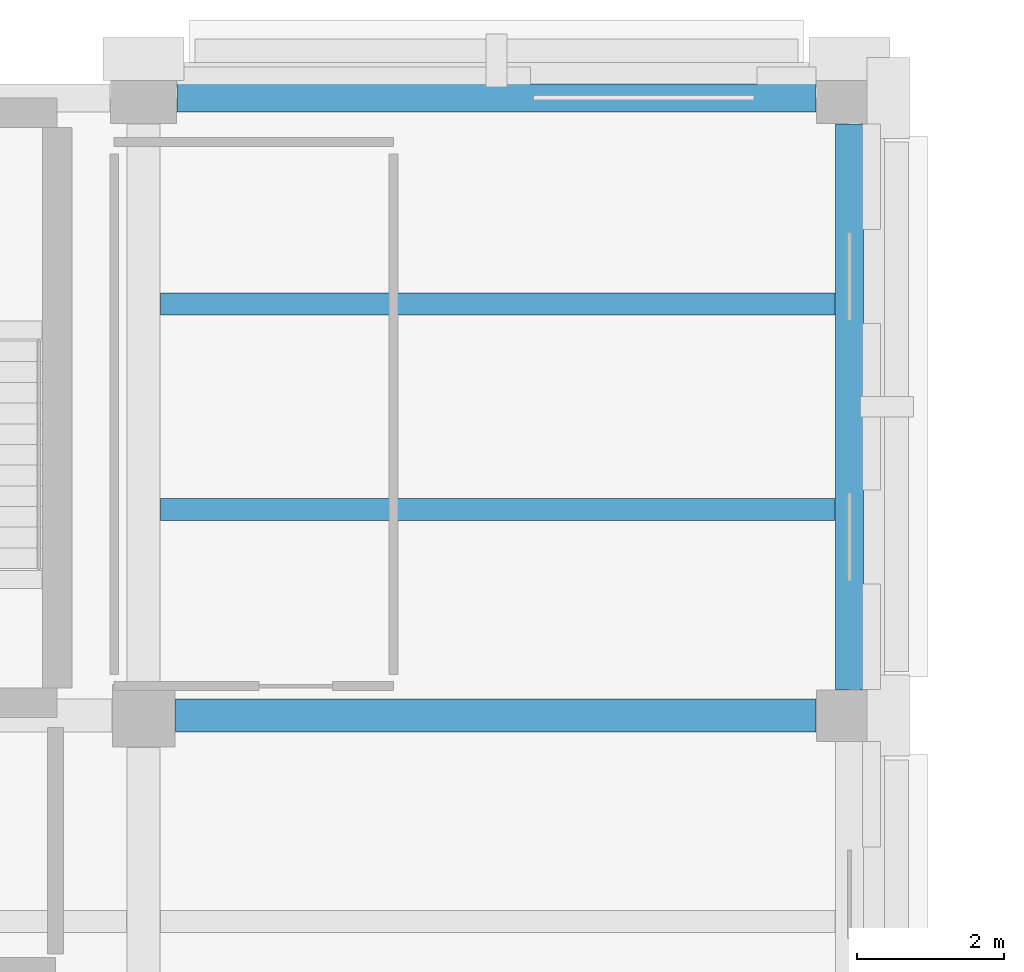
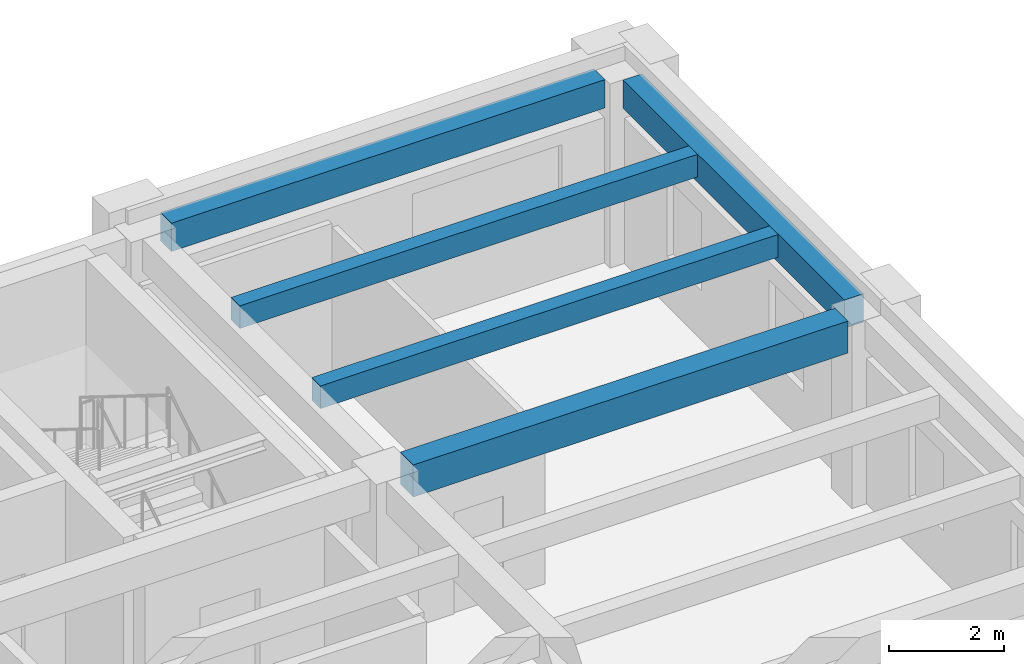
# One storey, part 28 of 58: 5 beams.
"""IFC4 building model written with IfcOpenShell, lengths in metres."""

from ifc_helpers import new_model, si_unit, direction, frame, origin, origin_2d, place, context, subcontext, project, spatial, rectangle, extrude, material, material_profile, profile_set, type_object, element, save


model = new_model("IFC4")

# Units and contexts
model_context = context("Model", 3, precision=1e-05, world=origin(), true_north=direction((0.0, 1.0)))
body_context = subcontext(model_context, "Body", "Model", "MODEL_VIEW")
ifc_project = project(units=[si_unit("LENGTHUNIT", "METRE"), si_unit("AREAUNIT", "SQUARE_METRE"), si_unit("VOLUMEUNIT", "CUBIC_METRE"), si_unit("PLANEANGLEUNIT", "RADIAN"), si_unit("MASSUNIT", "GRAM", prefix="KILO")], contexts=[model_context])

# Site, building, storey
site_placement = place(None, origin())
site = spatial("IfcSite", under=ifc_project, at=site_placement, CompositionType="ELEMENT")
building_placement = place(site_placement, origin())
building = spatial("IfcBuilding", under=site, at=building_placement, Name="Bempovik Park Faculty of Sciences", CompositionType="ELEMENT")
storey_placement = place(building_placement, frame((0.0, 0.0, 18.300048828125)))
storey = spatial("IfcBuildingStorey", under=building, at=storey_placement, Name="L04", CompositionType="ELEMENT", Elevation=18.300048828125)

# Beams
ifc_material = material(Name="Concrete C35/45", Category="concrete")
ifc_material_profile_1 = material_profile(ifc_material, rectangle(XDim=0.3798828125, YDim=0.60009765625, at=origin_2d()), Name="RC 380x600")
ifc_profile_set_1 = profile_set([ifc_material_profile_1], Name="Concrete C35/45")
beam_type_1 = type_object("IfcBeamType", Name="B-032 RC 380x600", PredefinedType="SPANDREL", material=ifc_profile_set_1)
beam_1_placement = place(storey_placement, frame((108.4560546875, 119.39990234375, 3.599853515625), z_axis=(1.0, 0.0, 0.0), x_axis=(0.0, 1.0, 0.0)))
element("IfcBeam", 1, at=beam_1_placement, inside=storey, type_object=beam_type_1, Name="L04 Beam X (108.0-117.6, y=119.4)", PredefinedType="SPANDREL", context=body_context, shape_type="SweptSolid", body=[
    extrude(rectangle(XDim=0.3798828125, YDim=0.60009765625, at=origin_2d()), origin(), (0.0, 0.0, 1.0), 8.68798828125),
])
beam_2_placement = place(storey_placement, frame((117.60009765625, 111.35595703125, 3.599853515625), z_axis=(0.0, 1.0, 0.0), x_axis=(-1.0, 0.0, 0.0)))
element("IfcBeam", 2, at=beam_2_placement, inside=storey, type_object=beam_type_1, Name="L04 Beam Y (x=117.6, 111.0-119.4)", PredefinedType="SPANDREL", context=body_context, shape_type="SweptSolid", body=[
    extrude(rectangle(XDim=0.3798828125, YDim=0.60009765625, at=origin_2d()), origin(), (0.0, 0.0, 1.0), 7.68798828125),
])
ifc_material_profile_2 = material_profile(ifc_material, rectangle(XDim=0.300048828125, YDim=0.47998046875, at=origin_2d()), Name="RC 300x480")
ifc_profile_set_2 = profile_set([ifc_material_profile_2], Name="Concrete C35/45")
beam_type_2 = type_object("IfcBeamType", Name="B-039 RC 300x480", PredefinedType="JOIST", material=ifc_profile_set_2)
for number, where, z_axis, x_axis, name in (
    (3, (108.23095703125, 113.800048828125, 3.659912109375), (1.0, 0.0, 0.0), (0.0, 1.0, 0.0), "L04 Secondary Joist (108.0-117.6, y=113.80)"),
    (4, (108.23095703125, 116.60009765625, 3.659912109375), (1.0, 0.0, 0.0), (0.0, 1.0, 0.0), "L04 Secondary Joist (108.0-117.6, y=116.60)"),
):
    element("IfcBeam", number, at=place(storey_placement, frame(where, z_axis=z_axis, x_axis=x_axis)), inside=storey, type_object=beam_type_2, Name=name, PredefinedType="JOIST", context=body_context, shape_type="SweptSolid", body=[
        extrude(rectangle(XDim=0.300048828125, YDim=0.47998046875, at=origin_2d()), origin(), (0.0, 0.0, 1.0), 9.173095703125),
    ])
ifc_material_profile_3 = material_profile(ifc_material, rectangle(XDim=0.449951171875, YDim=0.679931640625, at=origin_2d()), Name="RC 450x680")
ifc_profile_set_3 = profile_set([ifc_material_profile_3], Name="Concrete C35/45")
beam_type_3 = type_object("IfcBeamType", Name="B-113 RC 450x680", PredefinedType="BEAM", material=ifc_profile_set_3)
beam_3_placement = place(storey_placement, frame((108.430908203125, 111.0, 3.56005859375), z_axis=(1.0, 0.0, 0.0), x_axis=(0.0, 1.0, 0.0)))
element("IfcBeam", 5, at=beam_3_placement, inside=storey, type_object=beam_type_3, Name="L04 Beam X (108.0-117.6, y=111.0)", PredefinedType="BEAM", context=body_context, shape_type="SweptSolid", body=[
    extrude(rectangle(XDim=0.449951171875, YDim=0.679931640625, at=origin_2d()), origin(), (0.0, 0.0, 1.0), 8.713134765625),
])

save(model, "model.ifc")
